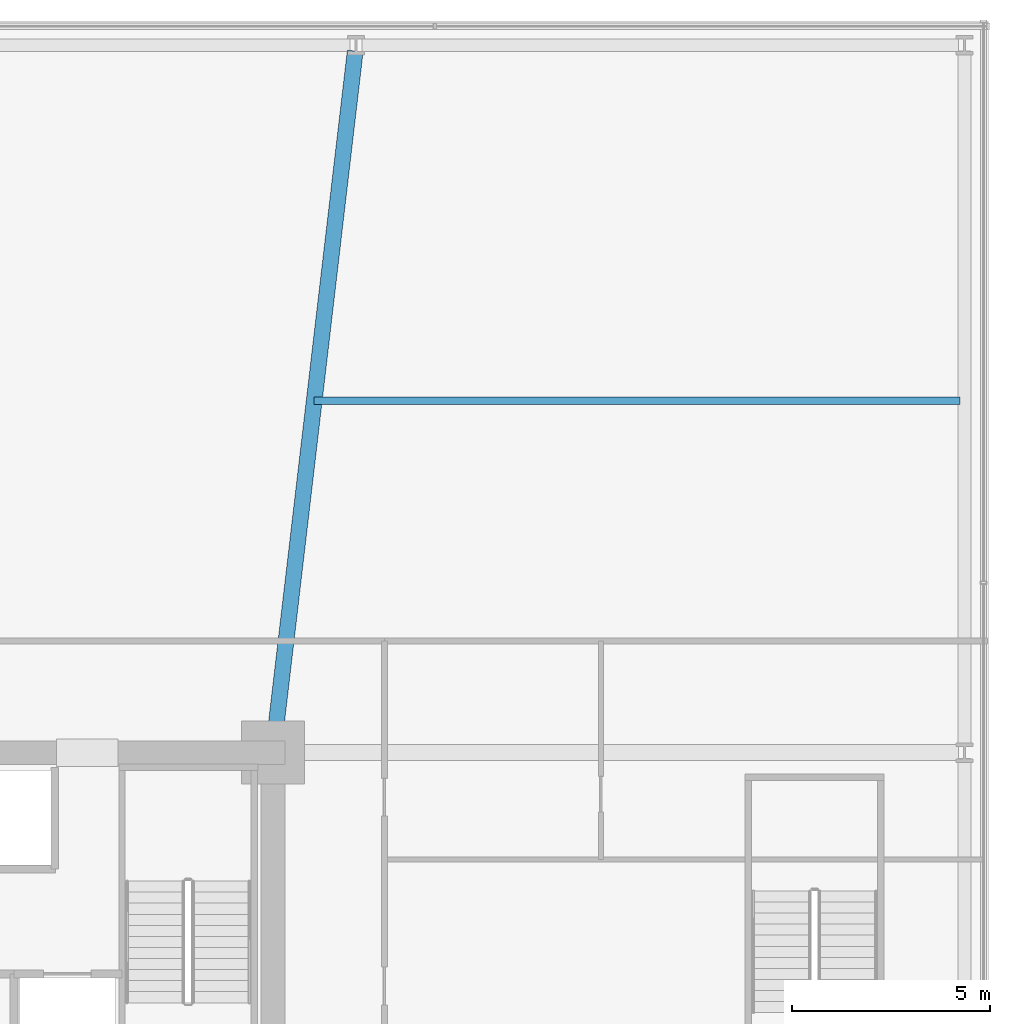
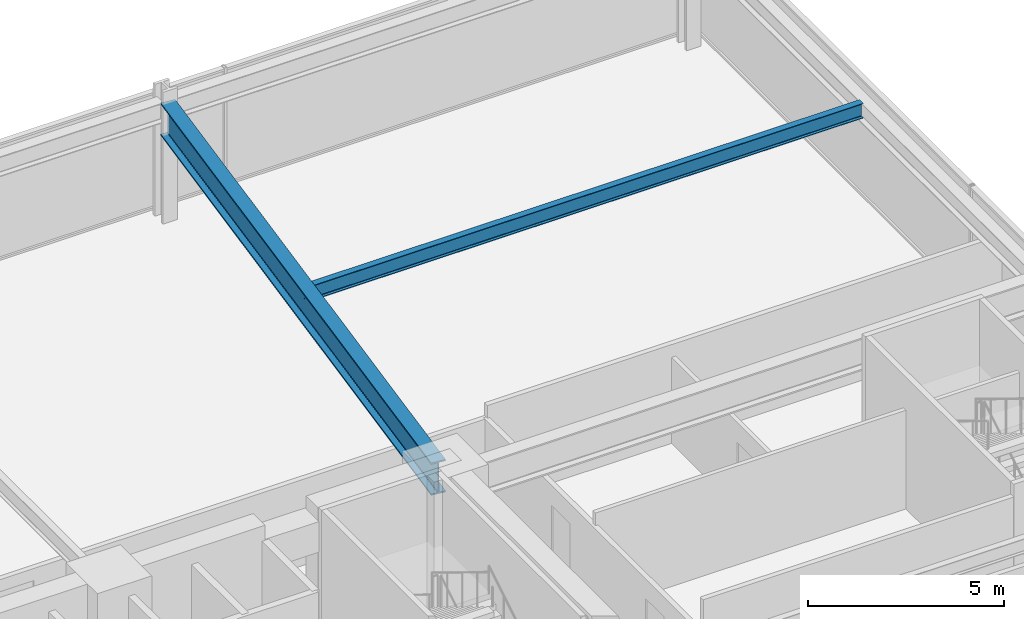
# One storey, part 29 of 39: 2 beams.
"""IFC4 building model written with IfcOpenShell, lengths in metres."""

from ifc_helpers import new_model, si_unit, direction, frame, origin, origin_2d, place, context, subcontext, project, spatial, i_section, extrude, material, material_profile, profile_set, type_object, element, save


model = new_model("IFC4")

# Units and contexts
model_context = context("Model", 3, precision=1e-05, world=origin(), true_north=direction((0.0, 1.0)))
body_context = subcontext(model_context, "Body", "Model", "MODEL_VIEW")
ifc_project = project(units=[si_unit("LENGTHUNIT", "METRE"), si_unit("AREAUNIT", "SQUARE_METRE"), si_unit("VOLUMEUNIT", "CUBIC_METRE"), si_unit("PLANEANGLEUNIT", "RADIAN"), si_unit("MASSUNIT", "GRAM", prefix="KILO")], contexts=[model_context])

# Site, building, storey
site_placement = place(None, origin())
site = spatial("IfcSite", under=ifc_project, at=site_placement, CompositionType="ELEMENT")
building_placement = place(site_placement, origin())
building = spatial("IfcBuilding", under=site, at=building_placement, Name="Kolvaren Belvedere", CompositionType="ELEMENT")
storey_placement = place(building_placement, frame((0.0, 0.0, 15.199951171875)))
storey = spatial("IfcBuildingStorey", under=building, at=storey_placement, Name="L04", CompositionType="ELEMENT", Elevation=15.199951171875)

# Beams
ifc_material_1 = material(Name="Structural steel ASTM A992 Grade 50", Category="steel")
ifc_material_profile_1 = material_profile(ifc_material_1, i_section(OverallWidth=0.40087890625, OverallDepth=1.010986328125, WebThickness=0.023681640625, FlangeThickness=0.0419921875, FilletRadius=0.030029296875, at=origin_2d()), Name="W40X297")
ifc_profile_set_1 = profile_set([ifc_material_profile_1], Name="Structural steel ASTM A992 Grade 50")
beam_type_1 = type_object("IfcBeamType", Name="BM-BALL-W40X297", PredefinedType="BEAM", material=ifc_profile_set_1)
beam_1_placement = place(storey_placement, frame((9.952392578125, 10.346923828125, 3.194580078125), z_axis=(0.116516841483, 0.993188716031, 0.0), x_axis=(-0.993188716031, 0.116516841483, 0.0)))
element("IfcBeam", 1, at=beam_1_placement, inside=storey, type_object=beam_type_1, Name="L04 North-East Radial Girder", PredefinedType="BEAM", context=body_context, shape_type="SweptSolid", body=[
    extrude(i_section(OverallWidth=0.40087890625, OverallDepth=1.010986328125, WebThickness=0.023681640625, FlangeThickness=0.0419921875, FilletRadius=0.030029296875, at=origin_2d()), origin(), (0.0, 0.0, 1.0), 17.422607421875),
])
ifc_material_2 = material(Name="Structural steel ASTM A992 Grade 50", Category="steel")
ifc_material_profile_2 = material_profile(ifc_material_2, i_section(OverallWidth=0.19091796875, OverallDepth=0.4599609375, WebThickness=0.010009765625, FlangeThickness=0.01611328125, FilletRadius=0.014892578125, at=origin_2d()), Name="W18X55")
ifc_profile_set_2 = profile_set([ifc_material_profile_2], Name="Structural steel ASTM A992 Grade 50")
beam_type_2 = type_object("IfcBeamType", Name="BM-JOIST-W18X55", PredefinedType="BEAM", material=ifc_profile_set_2)
beam_2_placement = place(storey_placement, frame((10.93994140625, 18.800048828125, 3.469970703125), z_axis=(1.0, 0.0, 0.0), x_axis=(0.0, 1.0, 0.0)))
element("IfcBeam", 2, at=beam_2_placement, inside=storey, type_object=beam_type_2, Name="L04 East Bay Floor Beam", PredefinedType="BEAM", context=body_context, shape_type="SweptSolid", body=[
    extrude(i_section(OverallWidth=0.19091796875, OverallDepth=0.4599609375, WebThickness=0.010009765625, FlangeThickness=0.01611328125, FilletRadius=0.014892578125, at=origin_2d()), origin(), (0.0, 0.0, 1.0), 16.340087890625),
])

save(model, "model.ifc")
